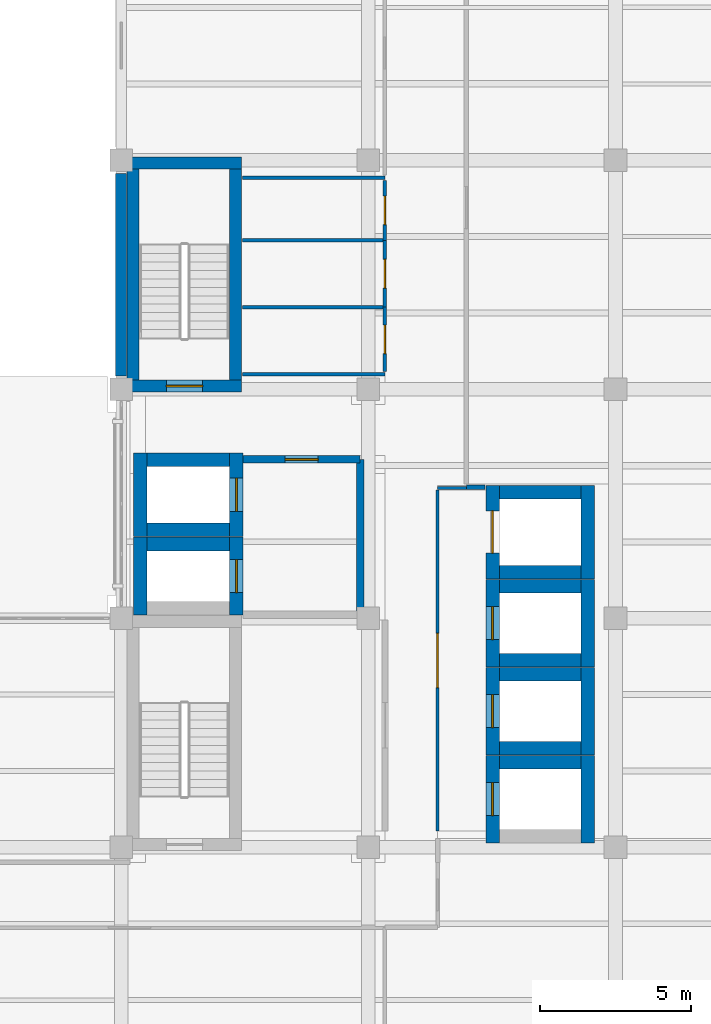
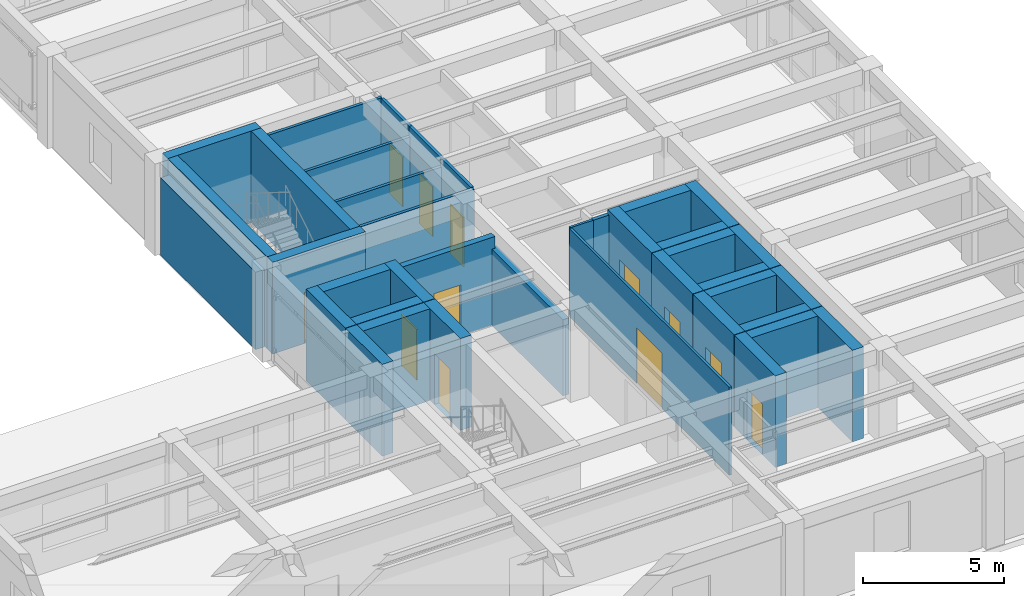
# One storey, part 7 of 12: 39 walls, 12 doors, 12 openings.
"""IFC4 building model written with IfcOpenShell, lengths in metres."""

from ifc_helpers import new_model, si_unit, direction, frame, frame_2d, origin, place, context, subcontext, project, spatial, rectangle, extrude, material, layer, layer_set, type_object, element, fill, save


model = new_model("IFC4")

# Units and contexts
model_context = context("Model", 3, precision=1e-05, world=origin(), true_north=direction((0.0, 1.0)))
body_context = subcontext(model_context, "Body", "Model", "MODEL_VIEW")
ifc_project = project(units=[si_unit("LENGTHUNIT", "METRE"), si_unit("AREAUNIT", "SQUARE_METRE"), si_unit("VOLUMEUNIT", "CUBIC_METRE"), si_unit("PLANEANGLEUNIT", "RADIAN"), si_unit("MASSUNIT", "GRAM", prefix="KILO")], contexts=[model_context])

# Site, building, storey
site_placement = place(None, origin())
site = spatial("IfcSite", under=ifc_project, at=site_placement, CompositionType="ELEMENT")
building_placement = place(site_placement, origin())
building = spatial("IfcBuilding", under=site, at=building_placement, Name="Qandaris Square Conservatory and Botanical Centre", CompositionType="ELEMENT")
storey_placement = place(building_placement, frame((0.0, 0.0, 53.39990234375)))
storey = spatial("IfcBuildingStorey", under=building, at=storey_placement, Name="L12", CompositionType="ELEMENT", Elevation=53.39990234375)

# Walls
ifc_material_1 = material(Name="Gypsum Plasterboard", Category="gypsum")
ifc_layer_1 = layer(ifc_material_1, 0.14990234375)
ifc_layer_set_1 = layer_set([ifc_layer_1], Name="Gypsum Plasterboard")
wall_type_1 = type_object("IfcWallType", Name="Acoustic Laboratory Partition 150mm", PredefinedType="PARTITIONING", material=ifc_layer_set_1)
wall_1_placement = place(storey_placement, frame((150.64990234375, 36.14990234375, 0.0), z_axis=(0.0, 0.0, 1.0), x_axis=(1.0, 0.0, 0.0)))
element("IfcWall", 1, at=wall_1_placement, inside=storey, type_object=wall_type_1, Name="Interior Partition IW-L12-0395", PredefinedType="PARTITIONING", context=body_context, shape_type="SweptSolid", body=[
    extrude(rectangle(XDim=0.6201171875, YDim=0.14990234375, at=frame_2d((0.31005859375, 0.0))), origin(), (0.0, 0.0, 1.0), 3.80517578125),
])
ifc_material_2 = material(Name="Precast concrete C40/50", Category="concrete")
ifc_layer_2 = layer(ifc_material_2, 0.360107421875)
ifc_layer_set_2 = layer_set([ifc_layer_2], Name="Precast concrete C40/50")
wall_type_2 = type_object("IfcWallType", Name="Architectural Precast Cladding Wall 360mm", PredefinedType="SOLIDWALL", material=ifc_layer_set_2)
wall_2_placement = place(storey_placement, frame((139.199951171875, 46.56494140625, 0.0), z_axis=(0.0, 0.0, 1.0), x_axis=(0.0, -1.0, 0.0)))
element("IfcWall", 2, at=wall_2_placement, inside=storey, type_object=wall_type_2, Name="Exterior Wall EW-TWR-L12-4-3", PredefinedType="SOLIDWALL", context=body_context, shape_type="SweptSolid", body=[
    extrude(rectangle(XDim=6.72998046875, YDim=0.360107421875, at=frame_2d((3.364990234375, 0.0))), origin(), (0.0, 0.0, 1.0), 3.34521484375),
])

# Wall, opening, door
ifc_material_3 = material(Name="Concrete C40/50", Category="concrete")
ifc_layer_3 = layer(ifc_material_3, 0.25)
ifc_layer_set_3 = layer_set([ifc_layer_3], Name="Concrete C40/50")
wall_type_3 = type_object("IfcWallType", Name="Firefighting Lobby Compartment Wall 250mm", PredefinedType="SOLIDWALL", material=ifc_layer_set_3)
wall_3_placement = place(storey_placement, frame((143.25, 37.074951171875, 0.0), z_axis=(0.0, 0.0, 1.0), x_axis=(1.0, 0.0, 0.0)))
wall_3 = element("IfcWall", 3, at=wall_3_placement, inside=storey, type_object=wall_type_3, Name="Firefighting Lobby Wall North (L12)", PredefinedType="SOLIDWALL", context=body_context, shape_type="SweptSolid", body=[
    extrude(rectangle(XDim=3.875, YDim=0.25, at=frame_2d((1.9375, 0.0))), origin(), (0.0, 0.0, 1.0), 3.80517578125),
])
opening_1_placement = place(wall_3_placement, frame((1.387451171875, 0.0, 0.0)))
opening_1 = element("IfcOpeningElement", 4, at=opening_1_placement, cuts=wall_3, Name="Opening D-FFL", PredefinedType="OPENING", context=body_context, shape_type="SweptSolid", body=[
    extrude(rectangle(XDim=1.10009765625, YDim=2.199951171875, at=frame_2d((0.550048828125, 1.10009765625))), frame((0.0, 0.136962890625, 0.0), z_axis=(0.0, -1.0, 0.0), x_axis=(1.0, 0.0, 0.0)), (0.0, 0.0, 1.0), 0.27392578125),
])
ifc_material_4 = material(Name="Steel S355", Category="steel")
door_type_1 = type_object("IfcDoorType", Name="Firefighting Lobby Smoke-Seal Door 1100x2200", OperationType="NOTDEFINED", PredefinedType="DOOR", material=ifc_material_4)
door_1_placement = place(opening_1_placement, origin())
door_1 = element("IfcDoor", 5, at=door_1_placement, inside=storey, type_object=door_type_1, Name="DR-0360 Firefighting Lobby Door (L12)", OperationType="SINGLE_SWING_LEFT", OverallHeight=2.199951171875, OverallWidth=1.10009765625, PredefinedType="DOOR", context=body_context, shape_type="SweptSolid", body=[
    extrude(rectangle(XDim=1.10009765625, YDim=2.199951171875, at=frame_2d((0.550048828125, 1.10009765625))), frame((0.0, 0.02490234375, 0.0), z_axis=(0.0, -1.0, 0.0), x_axis=(1.0, 0.0, 0.0)), (0.0, 0.0, 1.0), 0.050048828125),
])
fill(opening_1, door_1)

# Wall
wall_4_placement = place(storey_placement, frame((147.125, 31.925048828125, 0.0), z_axis=(0.0, 0.0, 1.0), x_axis=(0.0, 1.0, 0.0)))
element("IfcWall", 6, at=wall_4_placement, inside=storey, type_object=wall_type_3, Name="Firefighting Lobby Wall East (L12)", PredefinedType="SOLIDWALL", context=body_context, shape_type="SweptSolid", body=[
    extrude(rectangle(XDim=5.14990234375, YDim=0.25, at=frame_2d((2.574951171875, 0.0))), origin(), (0.0, 0.0, 1.0), 3.295166015625),
])

# Wall, opening, door
ifc_material_5 = material(Name="Tempered Low-E Glass", Category="glass")
ifc_layer_4 = layer(ifc_material_5, 0.10009765625)
ifc_layer_set_4 = layer_set([ifc_layer_4], Name="Tempered Low-E Glass")
wall_type_4 = type_object("IfcWallType", Name="Framed Acoustic Glazed Gallery Screen 100mm", PredefinedType="PARTITIONING", material=ifc_layer_set_4)
wall_5_placement = place(storey_placement, frame((149.699951171875, 24.75, 0.0), z_axis=(0.0, 0.0, 1.0), x_axis=(0.0, 1.0, 0.0)))
wall_5 = element("IfcWall", 7, at=wall_5_placement, inside=storey, type_object=wall_type_4, Name="Interior Partition IW-L12-0393", PredefinedType="PARTITIONING", context=body_context, shape_type="SweptSolid", body=[
    extrude(rectangle(XDim=11.300048828125, YDim=0.10009765625, at=frame_2d((5.64990234375, 0.0))), origin(), (0.0, 0.0, 1.0), 3.80517578125),
])
opening_2_placement = place(wall_5_placement, frame((4.75, 0.0, 0.0)))
opening_2 = element("IfcOpeningElement", 8, at=opening_2_placement, cuts=wall_5, Name="Opening D-GL1", PredefinedType="OPENING", context=body_context, shape_type="SweptSolid", body=[
    extrude(rectangle(XDim=1.800048828125, YDim=2.39990234375, at=frame_2d((0.89990234375, 1.199951171875))), frame((0.0, 0.06201171875, 0.0), z_axis=(0.0, -1.0, 0.0), x_axis=(1.0, 0.0, 0.0)), (0.0, 0.0, 1.0), 0.1240234375),
])
ifc_material_6 = material(Name="Anodised Aluminium", Category="aluminium")
door_type_2 = type_object("IfcDoorType", Name="Visitor Gallery Glazed Double Door 1800x2400", OperationType="DOUBLE_DOOR_SINGLE_SWING", PredefinedType="DOOR", material=ifc_material_6)
door_2_placement = place(opening_2_placement, frame((1.800048828125, 0.0, 0.0), z_axis=(0.0, 0.0, 1.0), x_axis=(-1.0, 0.0, 0.0)))
door_2 = element("IfcDoor", 9, at=door_2_placement, inside=storey, type_object=door_type_2, Name="DR-0361 Main Circulation Corridor L12 Door", OperationType="DOUBLE_DOOR_SINGLE_SWING", OverallHeight=2.39990234375, OverallWidth=1.800048828125, PredefinedType="DOOR", context=body_context, shape_type="SweptSolid", body=[
    extrude(rectangle(XDim=1.800048828125, YDim=2.39990234375, at=frame_2d((0.89990234375, 1.199951171875))), frame((0.0, 0.02490234375, 0.0), z_axis=(0.0, -1.0, 0.0), x_axis=(1.0, 0.0, 0.0)), (0.0, 0.0, 1.0), 0.050048828125),
])
fill(opening_2, door_2)

# Walls
wall_6_placement = place(storey_placement, frame((149.699951171875, 36.125, 0.0), z_axis=(0.0, 0.0, 1.0), x_axis=(1.0, 0.0, 0.0)))
element("IfcWall", 10, at=wall_6_placement, inside=storey, type_object=wall_type_4, Name="Interior Partition IW-L12-0394", PredefinedType="PARTITIONING", context=body_context, shape_type="SweptSolid", body=[
    extrude(rectangle(XDim=0.949951171875, YDim=0.10009765625, at=frame_2d((0.47509765625, 0.0))), origin(), (0.0, 0.0, 1.0), 3.80517578125),
])
ifc_material_7 = material(Name="Concrete C50/60", Category="concrete")
ifc_layer_5 = layer(ifc_material_7, 0.449951171875)
ifc_layer_set_5 = layer_set([ifc_layer_5], Name="Concrete C50/60")
wall_type_5 = type_object("IfcWallType", Name="RC Coupled Core Shear Wall 450mm", PredefinedType="SHEAR", material=ifc_layer_set_5)
wall_7_placement = place(storey_placement, frame((140.06005859375, 34.264892578125, 0.0), z_axis=(0.0, 0.0, 1.0), x_axis=(1.0, 0.0, 0.0)))
element("IfcWall", 11, at=wall_7_placement, inside=storey, type_object=wall_type_5, Name="Lift FFL1 Shaft Wall North (L12)", PredefinedType="SHEAR", context=body_context, shape_type="SweptSolid", body=[
    extrude(rectangle(XDim=2.739990234375, YDim=0.449951171875, at=frame_2d((1.3701171875, 0.0))), origin(), (0.0, 0.0, 1.0), 3.960205078125),
])
wall_8_placement = place(storey_placement, frame((139.8349609375, 31.909912109375, 0.0), z_axis=(0.0, 0.0, 1.0), x_axis=(0.0, 1.0, 0.0)))
element("IfcWall", 12, at=wall_8_placement, inside=storey, type_object=wall_type_5, Name="Lift FFL1 Shaft Wall West (L12)", PredefinedType="SHEAR", context=body_context, shape_type="SweptSolid", body=[
    extrude(rectangle(XDim=2.580078125, YDim=0.449951171875, at=frame_2d((1.2900390625, 0.0))), origin(), (0.0, 0.0, 1.0), 3.960205078125),
])

# Wall, opening, door
wall_9_placement = place(storey_placement, frame((143.02490234375, 31.909912109375, 0.0), z_axis=(0.0, 0.0, 1.0), x_axis=(0.0, 1.0, 0.0)))
wall_9 = element("IfcWall", 13, at=wall_9_placement, inside=storey, type_object=wall_type_5, Name="Lift FFL1 Shaft Wall East (L12)", PredefinedType="SHEAR", context=body_context, shape_type="SweptSolid", body=[
    extrude(rectangle(XDim=2.580078125, YDim=0.449951171875, at=frame_2d((1.2900390625, 0.0))), origin(), (0.0, 0.0, 1.0), 3.960205078125),
])
opening_3_placement = place(wall_9_placement, frame((0.739990234375, 0.0, 0.0)))
opening_3 = element("IfcOpeningElement", 14, at=opening_3_placement, cuts=wall_9, Name="Opening LD-FFL", PredefinedType="OPENING", context=body_context, shape_type="SweptSolid", body=[
    extrude(rectangle(XDim=1.10009765625, YDim=2.199951171875, at=frame_2d((0.550048828125, 1.10009765625))), frame((0.0, 0.23681640625, 0.0), z_axis=(0.0, -1.0, 0.0), x_axis=(1.0, 0.0, 0.0)), (0.0, 0.0, 1.0), 0.473876953125),
])
door_type_3 = type_object("IfcDoorType", Name="Firefighting Lift Sliding Landing Door 1100x2200", OperationType="DOUBLE_DOOR_SLIDING", PredefinedType="DOOR", material=ifc_material_4)
door_3_placement = place(opening_3_placement, origin())
door_3 = element("IfcDoor", 15, at=door_3_placement, inside=storey, type_object=door_type_3, Name="DR-0377 Lift FFL1 Landing Door (L12)", OperationType="DOUBLE_DOOR_SLIDING", OverallHeight=2.199951171875, OverallWidth=1.10009765625, PredefinedType="DOOR", context=body_context, shape_type="SweptSolid", body=[
    extrude(rectangle(XDim=1.10009765625, YDim=2.199951171875, at=frame_2d((0.550048828125, 1.10009765625))), frame((0.0, 0.02490234375, 0.0), z_axis=(0.0, -1.0, 0.0), x_axis=(1.0, 0.0, 0.0)), (0.0, 0.0, 1.0), 0.050048828125),
])
fill(opening_3, door_3)

# Walls
for number, where, z_axis, x_axis, name in (
    (16, (140.06005859375, 34.735107421875, 0.0), (0.0, 0.0, 1.0), (1.0, 0.0, 0.0), "Lift FFL2 Shaft Wall South (L12)"),
    (17, (140.06005859375, 37.06494140625, 0.0), (0.0, 0.0, 1.0), (1.0, 0.0, 0.0), "Lift FFL2 Shaft Wall North (L12)"),
):
    element("IfcWall", number, at=place(storey_placement, frame(where, z_axis=z_axis, x_axis=x_axis)), inside=storey, type_object=wall_type_5, Name=name, PredefinedType="SHEAR", context=body_context, shape_type="SweptSolid", body=[
        extrude(rectangle(XDim=2.739990234375, YDim=0.449951171875, at=frame_2d((1.3701171875, 0.0))), origin(), (0.0, 0.0, 1.0), 3.960205078125),
    ])
wall_10_placement = place(storey_placement, frame((139.8349609375, 34.510009765625, 0.0), z_axis=(0.0, 0.0, 1.0), x_axis=(0.0, 1.0, 0.0)))
element("IfcWall", 18, at=wall_10_placement, inside=storey, type_object=wall_type_5, Name="Lift FFL2 Shaft Wall West (L12)", PredefinedType="SHEAR", context=body_context, shape_type="SweptSolid", body=[
    extrude(rectangle(XDim=2.780029296875, YDim=0.449951171875, at=frame_2d((1.39013671875, 0.0))), origin(), (0.0, 0.0, 1.0), 3.960205078125),
])

# Wall, opening, door
wall_11_placement = place(storey_placement, frame((143.02490234375, 34.510009765625, 0.0), z_axis=(0.0, 0.0, 1.0), x_axis=(0.0, 1.0, 0.0)))
wall_11 = element("IfcWall", 19, at=wall_11_placement, inside=storey, type_object=wall_type_5, Name="Lift FFL2 Shaft Wall East (L12)", PredefinedType="SHEAR", context=body_context, shape_type="SweptSolid", body=[
    extrude(rectangle(XDim=2.780029296875, YDim=0.449951171875, at=frame_2d((1.39013671875, 0.0))), origin(), (0.0, 0.0, 1.0), 3.960205078125),
])
opening_4_placement = place(wall_11_placement, frame((0.840087890625, 0.0, 0.0)))
opening_4 = element("IfcOpeningElement", 20, at=opening_4_placement, cuts=wall_11, Name="Opening LD-FFL", PredefinedType="OPENING", context=body_context, shape_type="SweptSolid", body=[
    extrude(rectangle(XDim=1.10009765625, YDim=2.199951171875, at=frame_2d((0.550048828125, 1.10009765625))), frame((0.0, 0.23681640625, 0.0), z_axis=(0.0, -1.0, 0.0), x_axis=(1.0, 0.0, 0.0)), (0.0, 0.0, 1.0), 0.473876953125),
])
door_4_placement = place(opening_4_placement, origin())
door_4 = element("IfcDoor", 21, at=door_4_placement, inside=storey, type_object=door_type_3, Name="DR-0378 Lift FFL2 Landing Door (L12)", OperationType="DOUBLE_DOOR_SLIDING", OverallHeight=2.199951171875, OverallWidth=1.10009765625, PredefinedType="DOOR", context=body_context, shape_type="SweptSolid", body=[
    extrude(rectangle(XDim=1.10009765625, YDim=2.199951171875, at=frame_2d((0.550048828125, 1.10009765625))), frame((0.0, 0.02490234375, 0.0), z_axis=(0.0, -1.0, 0.0), x_axis=(1.0, 0.0, 0.0)), (0.0, 0.0, 1.0), 0.050048828125),
])
fill(opening_4, door_4)

# Wall
wall_12_placement = place(storey_placement, frame((151.75, 27.02490234375, 0.0), z_axis=(0.0, 0.0, 1.0), x_axis=(1.0, 0.0, 0.0)))
element("IfcWall", 22, at=wall_12_placement, inside=storey, type_object=wall_type_5, Name="Lift PL1 Shaft Wall North (L12)", PredefinedType="SHEAR", context=body_context, shape_type="SweptSolid", body=[
    extrude(rectangle(XDim=2.699951171875, YDim=0.449951171875, at=frame_2d((1.35009765625, 0.0))), origin(), (0.0, 0.0, 1.0), 3.960205078125),
])

# Wall, opening, door
wall_13_placement = place(storey_placement, frame((151.52490234375, 24.35009765625, 0.0), z_axis=(0.0, 0.0, 1.0), x_axis=(0.0, 1.0, 0.0)))
wall_13 = element("IfcWall", 23, at=wall_13_placement, inside=storey, type_object=wall_type_5, Name="Lift PL1 Shaft Wall West (L12)", PredefinedType="SHEAR", context=body_context, shape_type="SweptSolid", body=[
    extrude(rectangle(XDim=2.89990234375, YDim=0.449951171875, at=frame_2d((1.449951171875, 0.0))), origin(), (0.0, 0.0, 1.0), 3.960205078125),
])
opening_5_placement = place(wall_13_placement, frame((0.89990234375, 0.0, 0.0)))
opening_5 = element("IfcOpeningElement", 24, at=opening_5_placement, cuts=wall_13, Name="Opening LD-PAX", PredefinedType="OPENING", context=body_context, shape_type="SweptSolid", body=[
    extrude(rectangle(XDim=1.10009765625, YDim=2.199951171875, at=frame_2d((0.550048828125, 1.10009765625))), frame((0.0, 0.23681640625, 0.0), z_axis=(0.0, -1.0, 0.0), x_axis=(1.0, 0.0, 0.0)), (0.0, 0.0, 1.0), 0.473876953125),
])
door_type_4 = type_object("IfcDoorType", Name="Passenger Lift Sliding Landing Door 1100x2200", OperationType="DOUBLE_DOOR_SLIDING", PredefinedType="DOOR", material=ifc_material_6)
door_5_placement = place(opening_5_placement, origin())
door_5 = element("IfcDoor", 25, at=door_5_placement, inside=storey, type_object=door_type_4, Name="DR-0380 Lift PL1 Landing Door (L12)", OperationType="DOUBLE_DOOR_SLIDING", OverallHeight=2.199951171875, OverallWidth=1.10009765625, PredefinedType="DOOR", context=body_context, shape_type="SweptSolid", body=[
    extrude(rectangle(XDim=1.10009765625, YDim=2.199951171875, at=frame_2d((0.550048828125, 1.10009765625))), frame((0.0, 0.02490234375, 0.0), z_axis=(0.0, -1.0, 0.0), x_axis=(1.0, 0.0, 0.0)), (0.0, 0.0, 1.0), 0.050048828125),
])
fill(opening_5, door_5)

# Walls
wall_14_placement = place(storey_placement, frame((154.675048828125, 24.35009765625, 0.0), z_axis=(0.0, 0.0, 1.0), x_axis=(0.0, 1.0, 0.0)))
element("IfcWall", 26, at=wall_14_placement, inside=storey, type_object=wall_type_5, Name="Lift PL1 Shaft Wall East (L12)", PredefinedType="SHEAR", context=body_context, shape_type="SweptSolid", body=[
    extrude(rectangle(XDim=2.89990234375, YDim=0.449951171875, at=frame_2d((1.449951171875, 0.0))), origin(), (0.0, 0.0, 1.0), 3.960205078125),
])
for number, where, z_axis, x_axis, name in (
    (27, (151.75, 27.4951171875, 0.0), (0.0, 0.0, 1.0), (1.0, 0.0, 0.0), "Lift PL2 Shaft Wall South (L12)"),
    (28, (151.75, 29.945068359375, 0.0), (0.0, 0.0, 1.0), (1.0, 0.0, 0.0), "Lift PL2 Shaft Wall North (L12)"),
):
    element("IfcWall", number, at=place(storey_placement, frame(where, z_axis=z_axis, x_axis=x_axis)), inside=storey, type_object=wall_type_5, Name=name, PredefinedType="SHEAR", context=body_context, shape_type="SweptSolid", body=[
        extrude(rectangle(XDim=2.699951171875, YDim=0.449951171875, at=frame_2d((1.35009765625, 0.0))), origin(), (0.0, 0.0, 1.0), 3.960205078125),
    ])

# Wall, opening, door
wall_15_placement = place(storey_placement, frame((151.52490234375, 27.27001953125, 0.0), z_axis=(0.0, 0.0, 1.0), x_axis=(0.0, 1.0, 0.0)))
wall_15 = element("IfcWall", 29, at=wall_15_placement, inside=storey, type_object=wall_type_5, Name="Lift PL2 Shaft Wall West (L12)", PredefinedType="SHEAR", context=body_context, shape_type="SweptSolid", body=[
    extrude(rectangle(XDim=2.89990234375, YDim=0.449951171875, at=frame_2d((1.449951171875, 0.0))), origin(), (0.0, 0.0, 1.0), 3.960205078125),
])
opening_6_placement = place(wall_15_placement, frame((0.89990234375, 0.0, 0.0)))
opening_6 = element("IfcOpeningElement", 30, at=opening_6_placement, cuts=wall_15, Name="Opening LD-PAX", PredefinedType="OPENING", context=body_context, shape_type="SweptSolid", body=[
    extrude(rectangle(XDim=1.10009765625, YDim=2.199951171875, at=frame_2d((0.550048828125, 1.10009765625))), frame((0.0, 0.23681640625, 0.0), z_axis=(0.0, -1.0, 0.0), x_axis=(1.0, 0.0, 0.0)), (0.0, 0.0, 1.0), 0.473876953125),
])
door_6_placement = place(opening_6_placement, origin())
door_6 = element("IfcDoor", 31, at=door_6_placement, inside=storey, type_object=door_type_4, Name="DR-0381 Lift PL2 Landing Door (L12)", OperationType="DOUBLE_DOOR_SLIDING", OverallHeight=2.199951171875, OverallWidth=1.10009765625, PredefinedType="DOOR", context=body_context, shape_type="SweptSolid", body=[
    extrude(rectangle(XDim=1.10009765625, YDim=2.199951171875, at=frame_2d((0.550048828125, 1.10009765625))), frame((0.0, 0.02490234375, 0.0), z_axis=(0.0, -1.0, 0.0), x_axis=(1.0, 0.0, 0.0)), (0.0, 0.0, 1.0), 0.050048828125),
])
fill(opening_6, door_6)

# Walls
wall_16_placement = place(storey_placement, frame((154.675048828125, 27.27001953125, 0.0), z_axis=(0.0, 0.0, 1.0), x_axis=(0.0, 1.0, 0.0)))
element("IfcWall", 32, at=wall_16_placement, inside=storey, type_object=wall_type_5, Name="Lift PL2 Shaft Wall East (L12)", PredefinedType="SHEAR", context=body_context, shape_type="SweptSolid", body=[
    extrude(rectangle(XDim=2.89990234375, YDim=0.449951171875, at=frame_2d((1.449951171875, 0.0))), origin(), (0.0, 0.0, 1.0), 3.960205078125),
])
for number, where, z_axis, x_axis, name in (
    (33, (151.75, 30.4150390625, 0.0), (0.0, 0.0, 1.0), (1.0, 0.0, 0.0), "Lift PL3 Shaft Wall South (L12)"),
    (34, (151.75, 32.864990234375, 0.0), (0.0, 0.0, 1.0), (1.0, 0.0, 0.0), "Lift PL3 Shaft Wall North (L12)"),
):
    element("IfcWall", number, at=place(storey_placement, frame(where, z_axis=z_axis, x_axis=x_axis)), inside=storey, type_object=wall_type_5, Name=name, PredefinedType="SHEAR", context=body_context, shape_type="SweptSolid", body=[
        extrude(rectangle(XDim=2.699951171875, YDim=0.449951171875, at=frame_2d((1.35009765625, 0.0))), origin(), (0.0, 0.0, 1.0), 3.960205078125),
    ])

# Wall, opening, door
wall_17_placement = place(storey_placement, frame((151.52490234375, 30.18994140625, 0.0), z_axis=(0.0, 0.0, 1.0), x_axis=(0.0, 1.0, 0.0)))
wall_17 = element("IfcWall", 35, at=wall_17_placement, inside=storey, type_object=wall_type_5, Name="Lift PL3 Shaft Wall West (L12)", PredefinedType="SHEAR", context=body_context, shape_type="SweptSolid", body=[
    extrude(rectangle(XDim=2.900146484375, YDim=0.449951171875, at=frame_2d((1.4501953125, 0.0))), origin(), (0.0, 0.0, 1.0), 3.960205078125),
])
opening_7_placement = place(wall_17_placement, frame((0.89990234375, 0.0, 0.0)))
opening_7 = element("IfcOpeningElement", 36, at=opening_7_placement, cuts=wall_17, Name="Opening LD-PAX", PredefinedType="OPENING", context=body_context, shape_type="SweptSolid", body=[
    extrude(rectangle(XDim=1.10009765625, YDim=2.199951171875, at=frame_2d((0.550048828125, 1.10009765625))), frame((0.0, 0.23681640625, 0.0), z_axis=(0.0, -1.0, 0.0), x_axis=(1.0, 0.0, 0.0)), (0.0, 0.0, 1.0), 0.473876953125),
])
door_7_placement = place(opening_7_placement, origin())
door_7 = element("IfcDoor", 37, at=door_7_placement, inside=storey, type_object=door_type_4, Name="DR-0382 Lift PL3 Landing Door (L12)", OperationType="DOUBLE_DOOR_SLIDING", OverallHeight=2.199951171875, OverallWidth=1.10009765625, PredefinedType="DOOR", context=body_context, shape_type="SweptSolid", body=[
    extrude(rectangle(XDim=1.10009765625, YDim=2.199951171875, at=frame_2d((0.550048828125, 1.10009765625))), frame((0.0, 0.02490234375, 0.0), z_axis=(0.0, -1.0, 0.0), x_axis=(1.0, 0.0, 0.0)), (0.0, 0.0, 1.0), 0.050048828125),
])
fill(opening_7, door_7)

# Walls
wall_18_placement = place(storey_placement, frame((154.675048828125, 30.18994140625, 0.0), z_axis=(0.0, 0.0, 1.0), x_axis=(0.0, 1.0, 0.0)))
element("IfcWall", 38, at=wall_18_placement, inside=storey, type_object=wall_type_5, Name="Lift PL3 Shaft Wall East (L12)", PredefinedType="SHEAR", context=body_context, shape_type="SweptSolid", body=[
    extrude(rectangle(XDim=2.900146484375, YDim=0.449951171875, at=frame_2d((1.4501953125, 0.0))), origin(), (0.0, 0.0, 1.0), 3.960205078125),
])
for number, where, z_axis, x_axis, name in (
    (39, (151.75, 33.3349609375, 0.0), (0.0, 0.0, 1.0), (1.0, 0.0, 0.0), "Lift GL1 Shaft Wall South (L12)"),
    (40, (151.75, 35.985107421875, 0.0), (0.0, 0.0, 1.0), (1.0, 0.0, 0.0), "Lift GL1 Shaft Wall North (L12)"),
):
    element("IfcWall", number, at=place(storey_placement, frame(where, z_axis=z_axis, x_axis=x_axis)), inside=storey, type_object=wall_type_5, Name=name, PredefinedType="SHEAR", context=body_context, shape_type="SweptSolid", body=[
        extrude(rectangle(XDim=2.699951171875, YDim=0.449951171875, at=frame_2d((1.35009765625, 0.0))), origin(), (0.0, 0.0, 1.0), 3.960205078125),
    ])

# Wall, opening, door
wall_19_placement = place(storey_placement, frame((151.52490234375, 33.110107421875, 0.0), z_axis=(0.0, 0.0, 1.0), x_axis=(0.0, 1.0, 0.0)))
wall_19 = element("IfcWall", 41, at=wall_19_placement, inside=storey, type_object=wall_type_5, Name="Lift GL1 Shaft Wall West (L12)", PredefinedType="SHEAR", context=body_context, shape_type="SweptSolid", body=[
    extrude(rectangle(XDim=3.099853515625, YDim=0.449951171875, at=frame_2d((1.5498046875, 0.0))), origin(), (0.0, 0.0, 1.0), 3.960205078125),
])
opening_8_placement = place(wall_19_placement, frame((0.85009765625, 0.0, 0.0)))
opening_8 = element("IfcOpeningElement", 42, at=opening_8_placement, cuts=wall_19, Name="Opening LD-GDS", PredefinedType="OPENING", context=body_context, shape_type="SweptSolid", body=[
    extrude(rectangle(XDim=1.39990234375, YDim=2.300048828125, at=frame_2d((0.699951171875, 1.14990234375))), frame((0.0, 0.23681640625, 0.0), z_axis=(0.0, -1.0, 0.0), x_axis=(1.0, 0.0, 0.0)), (0.0, 0.0, 1.0), 0.473876953125),
])
door_type_5 = type_object("IfcDoorType", Name="Goods & Herbarium Lift Sliding Landing Door 1400x2300", OperationType="DOUBLE_DOOR_SLIDING", PredefinedType="DOOR", material=ifc_material_4)
door_8_placement = place(opening_8_placement, origin())
door_8 = element("IfcDoor", 43, at=door_8_placement, inside=storey, type_object=door_type_5, Name="DR-0379 Lift GL1 Landing Door (L12)", OperationType="DOUBLE_DOOR_SLIDING", OverallHeight=2.300048828125, OverallWidth=1.39990234375, PredefinedType="DOOR", context=body_context, shape_type="SweptSolid", body=[
    extrude(rectangle(XDim=1.39990234375, YDim=2.300048828125, at=frame_2d((0.699951171875, 1.14990234375))), frame((0.0, 0.02490234375, 0.0), z_axis=(0.0, -1.0, 0.0), x_axis=(1.0, 0.0, 0.0)), (0.0, 0.0, 1.0), 0.050048828125),
])
fill(opening_8, door_8)

# Wall
wall_20_placement = place(storey_placement, frame((154.675048828125, 33.110107421875, 0.0), z_axis=(0.0, 0.0, 1.0), x_axis=(0.0, 1.0, 0.0)))
element("IfcWall", 44, at=wall_20_placement, inside=storey, type_object=wall_type_5, Name="Lift GL1 Shaft Wall East (L12)", PredefinedType="SHEAR", context=body_context, shape_type="SweptSolid", body=[
    extrude(rectangle(XDim=3.099853515625, YDim=0.449951171875, at=frame_2d((1.5498046875, 0.0))), origin(), (0.0, 0.0, 1.0), 3.960205078125),
])

# Wall, opening, door
ifc_layer_6 = layer(ifc_material_7, 0.39990234375)
ifc_layer_set_6 = layer_set([ifc_layer_6], Name="Concrete C50/60")
wall_type_6 = type_object("IfcWallType", Name="RC Stair Core Shear Wall 400mm", PredefinedType="SHEAR", material=ifc_layer_set_6)
wall_21_placement = place(storey_placement, frame((139.39990234375, 39.5, 0.0), z_axis=(0.0, 0.0, 1.0), x_axis=(1.0, 0.0, 0.0)))
wall_21 = element("IfcWall", 45, at=wall_21_placement, inside=storey, type_object=wall_type_6, Name="ST-2 Core Shear Wall South (L12)", PredefinedType="SHEAR", context=body_context, shape_type="SweptSolid", body=[
    extrude(rectangle(XDim=3.800048828125, YDim=0.39990234375, at=frame_2d((1.89990234375, 0.0))), origin(), (0.0, 0.0, 1.0), 3.960205078125),
])
opening_9_placement = place(wall_21_placement, frame((1.300048828125, 0.0, 0.0)))
opening_9 = element("IfcOpeningElement", 46, at=opening_9_placement, cuts=wall_21, Name="Opening D-ST1", PredefinedType="OPENING", context=body_context, shape_type="SweptSolid", body=[
    extrude(rectangle(XDim=1.199951171875, YDim=2.199951171875, at=frame_2d((0.60009765625, 1.10009765625))), frame((0.0, 0.2119140625, 0.0), z_axis=(0.0, -1.0, 0.0), x_axis=(1.0, 0.0, 0.0)), (0.0, 0.0, 1.0), 0.423828125),
])
door_type_6 = type_object("IfcDoorType", Name="Exit Stair Core Fire Door 1200x2200", OperationType="NOTDEFINED", PredefinedType="DOOR", material=ifc_material_4)
door_9_placement = place(opening_9_placement, origin())
door_9 = element("IfcDoor", 47, at=door_9_placement, inside=storey, type_object=door_type_6, Name="DR-0372 ST-2 Stair Core Door (L12)", OperationType="SINGLE_SWING_RIGHT", OverallHeight=2.199951171875, OverallWidth=1.199951171875, PredefinedType="DOOR", context=body_context, shape_type="SweptSolid", body=[
    extrude(rectangle(XDim=1.199951171875, YDim=2.199951171875, at=frame_2d((0.60009765625, 1.10009765625))), frame((0.0, 0.02490234375, 0.0), z_axis=(0.0, -1.0, 0.0), x_axis=(1.0, 0.0, 0.0)), (0.0, 0.0, 1.0), 0.050048828125),
])
fill(opening_9, door_9)

# Walls
wall_22_placement = place(storey_placement, frame((139.39990234375, 46.89990234375, 0.0), z_axis=(0.0, 0.0, 1.0), x_axis=(1.0, 0.0, 0.0)))
element("IfcWall", 48, at=wall_22_placement, inside=storey, type_object=wall_type_6, Name="ST-2 Core Shear Wall North (L12)", PredefinedType="SHEAR", context=body_context, shape_type="SweptSolid", body=[
    extrude(rectangle(XDim=3.800048828125, YDim=0.39990234375, at=frame_2d((1.89990234375, 0.0))), origin(), (0.0, 0.0, 1.0), 3.960205078125),
])
for number, where, z_axis, x_axis, name in (
    (49, (139.60009765625, 39.699951171875, 0.0), (0.0, 0.0, 1.0), (0.0, 1.0, 0.0), "ST-2 Core Shear Wall West (L12)"),
    (50, (143.0, 39.699951171875, 0.0), (0.0, 0.0, 1.0), (0.0, 1.0, 0.0), "ST-2 Core Shear Wall East (L12)"),
):
    element("IfcWall", number, at=place(storey_placement, frame(where, z_axis=z_axis, x_axis=x_axis)), inside=storey, type_object=wall_type_6, Name=name, PredefinedType="SHEAR", context=body_context, shape_type="SweptSolid", body=[
        extrude(rectangle(XDim=7.0, YDim=0.39990234375, at=frame_2d((3.5, 0.0))), origin(), (0.0, 0.0, 1.0), 3.960205078125),
    ])
ifc_layer_7 = layer(ifc_material_1, 0.1201171875)
ifc_layer_set_7 = layer_set([ifc_layer_7], Name="Gypsum Plasterboard")
wall_type_7 = type_object("IfcWallType", Name="Standard Research Partition 120mm", PredefinedType="PARTITIONING", material=ifc_layer_set_7)
for number, where, z_axis, x_axis, name in (
    (51, (143.22998046875, 39.89990234375, 0.0), (0.0, 0.0, 1.0), (1.0, 0.0, 0.0), "Sanitary Toilet Partition Wall WCW-L12-SOUTH1"),
    (52, (143.22998046875, 46.419921875, 0.0), (0.0, 0.0, 1.0), (1.0, 0.0, 0.0), "Sanitary Toilet Partition Wall WCW-L12-NORTH1"),
):
    element("IfcWall", number, at=place(storey_placement, frame(where, z_axis=z_axis, x_axis=x_axis)), inside=storey, type_object=wall_type_7, Name=name, PredefinedType="PARTITIONING", context=body_context, shape_type="SweptSolid", body=[
        extrude(rectangle(XDim=4.719970703125, YDim=0.1201171875, at=frame_2d((2.35986328125, 0.0))), origin(), (0.0, 0.0, 1.0), 3.80517578125),
    ])
wall_23_placement = place(storey_placement, frame((143.22998046875, 42.1201171875, 0.0), z_axis=(0.0, 0.0, 1.0), x_axis=(1.0, 0.0, 0.0)))
element("IfcWall", 53, at=wall_23_placement, inside=storey, type_object=wall_type_7, Name="Interior Partition IW-L12-0396", PredefinedType="PARTITIONING", context=body_context, shape_type="SweptSolid", body=[
    extrude(rectangle(XDim=4.719970703125, YDim=0.1201171875, at=frame_2d((2.35986328125, 0.0))), origin(), (0.0, 0.0, 1.0), 3.43505859375),
])

# Wall, opening, door
wall_24_placement = place(storey_placement, frame((147.949951171875, 42.1201171875, 0.0), z_axis=(0.0, 0.0, 1.0), x_axis=(0.0, -1.0, 0.0)))
wall_24 = element("IfcWall", 54, at=wall_24_placement, inside=storey, type_object=wall_type_7, Name="Interior Partition IW-L12-0397", PredefinedType="PARTITIONING", context=body_context, shape_type="SweptSolid", body=[
    extrude(rectangle(XDim=2.130126953125, YDim=0.1201171875, at=frame_2d((1.06494140625, 0.0))), origin(), (0.0, 0.0, 1.0), 3.80517578125),
])
opening_10_placement = place(wall_24_placement, frame((0.590087890625, 0.0, 0.0)))
opening_10 = element("IfcOpeningElement", 55, at=opening_10_placement, cuts=wall_24, Name="Opening D-WC1", PredefinedType="OPENING", context=body_context, shape_type="SweptSolid", body=[
    extrude(rectangle(XDim=0.949951171875, YDim=2.14990234375, at=frame_2d((0.47509765625, 1.074951171875))), frame((0.0, 0.072021484375, 0.0), z_axis=(0.0, -1.0, 0.0), x_axis=(1.0, 0.0, 0.0)), (0.0, 0.0, 1.0), 0.14404296875),
])
ifc_material_8 = material(Name="Engineered Oak Timber", Category="wood")
door_type_7 = type_object("IfcDoorType", Name="Accessible Sanitary Room Door 950x2150", OperationType="NOTDEFINED", PredefinedType="DOOR", material=ifc_material_8)
door_10_placement = place(opening_10_placement, origin())
door_10 = element("IfcDoor", 56, at=door_10_placement, inside=storey, type_object=door_type_7, Name="DR-0373 Accessible Toilet L12 Door", OperationType="SINGLE_SWING_RIGHT", OverallHeight=2.14990234375, OverallWidth=0.949951171875, PredefinedType="DOOR", context=body_context, shape_type="SweptSolid", body=[
    extrude(rectangle(XDim=0.949951171875, YDim=2.14990234375, at=frame_2d((0.47509765625, 1.074951171875))), frame((0.0, 0.02490234375, 0.0), z_axis=(0.0, -1.0, 0.0), x_axis=(1.0, 0.0, 0.0)), (0.0, 0.0, 1.0), 0.050048828125),
])
fill(opening_10, door_10)

# Wall
wall_25_placement = place(storey_placement, frame((143.22998046875, 44.340087890625, 0.0), z_axis=(0.0, 0.0, 1.0), x_axis=(1.0, 0.0, 0.0)))
element("IfcWall", 57, at=wall_25_placement, inside=storey, type_object=wall_type_7, Name="Interior Partition IW-L12-0398", PredefinedType="PARTITIONING", context=body_context, shape_type="SweptSolid", body=[
    extrude(rectangle(XDim=4.719970703125, YDim=0.1201171875, at=frame_2d((2.35986328125, 0.0))), origin(), (0.0, 0.0, 1.0), 3.385009765625),
])

# Wall, opening, door
wall_26_placement = place(storey_placement, frame((147.949951171875, 44.340087890625, 0.0), z_axis=(0.0, 0.0, 1.0), x_axis=(0.0, -1.0, 0.0)))
wall_26 = element("IfcWall", 58, at=wall_26_placement, inside=storey, type_object=wall_type_7, Name="Interior Partition IW-L12-0399", PredefinedType="PARTITIONING", context=body_context, shape_type="SweptSolid", body=[
    extrude(rectangle(XDim=2.219970703125, YDim=0.1201171875, at=frame_2d((1.10986328125, 0.0))), origin(), (0.0, 0.0, 1.0), 3.80517578125),
])
opening_11_placement = place(wall_26_placement, frame((0.635009765625, 0.0, 0.0)))
opening_11 = element("IfcOpeningElement", 59, at=opening_11_placement, cuts=wall_26, Name="Opening D-WC1", PredefinedType="OPENING", context=body_context, shape_type="SweptSolid", body=[
    extrude(rectangle(XDim=0.949951171875, YDim=2.14990234375, at=frame_2d((0.47509765625, 1.074951171875))), frame((0.0, 0.072021484375, 0.0), z_axis=(0.0, -1.0, 0.0), x_axis=(1.0, 0.0, 0.0)), (0.0, 0.0, 1.0), 0.14404296875),
])
door_11_placement = place(opening_11_placement, origin())
door_11 = element("IfcDoor", 60, at=door_11_placement, inside=storey, type_object=door_type_7, Name="DR-0374 Staff Male Toilet L12 Door", OperationType="SINGLE_SWING_LEFT", OverallHeight=2.14990234375, OverallWidth=0.949951171875, PredefinedType="DOOR", context=body_context, shape_type="SweptSolid", body=[
    extrude(rectangle(XDim=0.949951171875, YDim=2.14990234375, at=frame_2d((0.47509765625, 1.074951171875))), frame((0.0, 0.02490234375, 0.0), z_axis=(0.0, -1.0, 0.0), x_axis=(1.0, 0.0, 0.0)), (0.0, 0.0, 1.0), 0.050048828125),
])
fill(opening_11, door_11)

wall_27_placement = place(storey_placement, frame((147.949951171875, 46.330078125, 0.0), z_axis=(0.0, 0.0, 1.0), x_axis=(0.0, -1.0, 0.0)))
wall_27 = element("IfcWall", 61, at=wall_27_placement, inside=storey, type_object=wall_type_7, Name="Interior Partition IW-L12-0400", PredefinedType="PARTITIONING", context=body_context, shape_type="SweptSolid", body=[
    extrude(rectangle(XDim=1.989990234375, YDim=0.1201171875, at=frame_2d((0.9951171875, 0.0))), origin(), (0.0, 0.0, 1.0), 3.80517578125),
])
opening_12_placement = place(wall_27_placement, frame((0.52001953125, 0.0, 0.0)))
opening_12 = element("IfcOpeningElement", 62, at=opening_12_placement, cuts=wall_27, Name="Opening D-WC1", PredefinedType="OPENING", context=body_context, shape_type="SweptSolid", body=[
    extrude(rectangle(XDim=0.949951171875, YDim=2.14990234375, at=frame_2d((0.47509765625, 1.074951171875))), frame((0.0, 0.072021484375, 0.0), z_axis=(0.0, -1.0, 0.0), x_axis=(1.0, 0.0, 0.0)), (0.0, 0.0, 1.0), 0.14404296875),
])
door_12_placement = place(opening_12_placement, frame((0.949951171875, 0.0, 0.0), z_axis=(0.0, 0.0, 1.0), x_axis=(-1.0, 0.0, 0.0)))
door_12 = element("IfcDoor", 63, at=door_12_placement, inside=storey, type_object=door_type_7, Name="DR-0375 Staff Female Toilet L12 Door", OperationType="SINGLE_SWING_RIGHT", OverallHeight=2.14990234375, OverallWidth=0.949951171875, PredefinedType="DOOR", context=body_context, shape_type="SweptSolid", body=[
    extrude(rectangle(XDim=0.949951171875, YDim=2.14990234375, at=frame_2d((0.47509765625, 1.074951171875))), frame((0.0, 0.02490234375, 0.0), z_axis=(0.0, -1.0, 0.0), x_axis=(1.0, 0.0, 0.0)), (0.0, 0.0, 1.0), 0.050048828125),
])
fill(opening_12, door_12)

save(model, "model.ifc")
